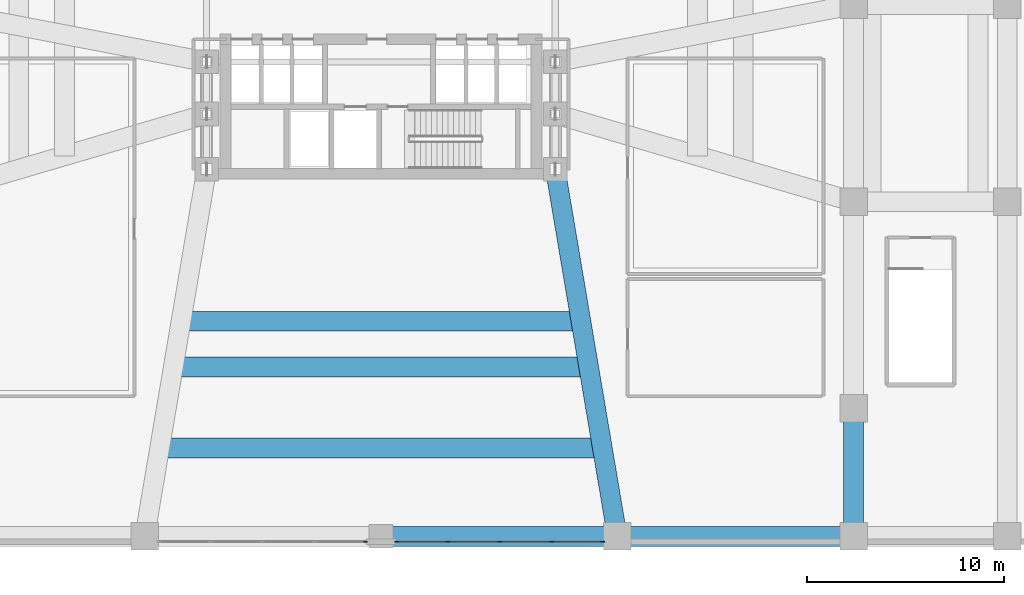
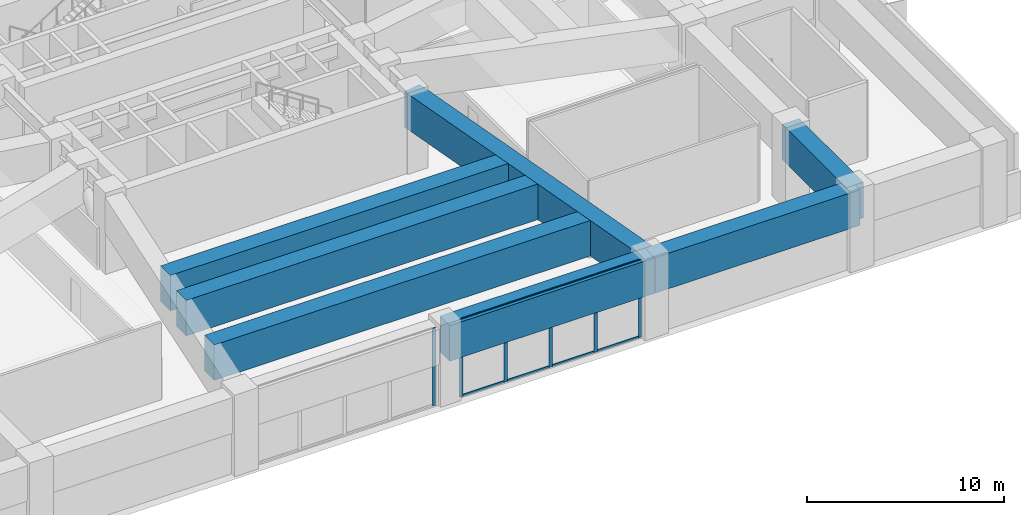
# One storey, part 4 of 14: 14 members, 7 beams, 2 elements without a shape of their own.
"""IFC4 building model written with IfcOpenShell, lengths in metres."""

from ifc_helpers import new_model, si_unit, direction, frame, origin, origin_2d, place, context, subcontext, project, spatial, rectangle, extrude, material, layer, layer_set, material_profile, profile_set, type_object, element, aggregate, save


model = new_model("IFC4")

# Units and contexts
model_context = context("Model", 3, precision=1e-05, world=origin(), true_north=direction((0.0, 1.0)))
body_context = subcontext(model_context, "Body", "Model", "MODEL_VIEW")
ifc_project = project(units=[si_unit("LENGTHUNIT", "METRE"), si_unit("AREAUNIT", "SQUARE_METRE"), si_unit("VOLUMEUNIT", "CUBIC_METRE"), si_unit("PLANEANGLEUNIT", "RADIAN"), si_unit("MASSUNIT", "GRAM", prefix="KILO")], contexts=[model_context])

# Site, building, storey
site_placement = place(None, origin())
site = spatial("IfcSite", under=ifc_project, at=site_placement, CompositionType="ELEMENT")
building_placement = place(site_placement, origin())
building = spatial("IfcBuilding", under=site, at=building_placement, Name="Solmarez Civic Tower", CompositionType="ELEMENT")
storey_placement = place(building_placement, frame((0.0, 0.0, 19.43994140625)))
storey = spatial("IfcBuildingStorey", under=building, at=storey_placement, Name="L04", CompositionType="ELEMENT", Elevation=19.43994140625)

# Beams
ifc_material_1 = material(Name="Concrete C60/75", Category="concrete")
ifc_material_profile_1 = material_profile(ifc_material_1, rectangle(XDim=1.0, YDim=2.199951171875, at=origin_2d()), Name="RC1000X2200")
ifc_profile_set_1 = profile_set([ifc_material_profile_1], Name="Concrete C60/75")
beam_type = type_object("IfcBeamType", Name="BM-TG-RC1000X2200", PredefinedType="USERDEFINED", material=ifc_profile_set_1)
for number, where, z_axis, x_axis, name in (
    (1, (0.0, -27.0, 3.68017578125), (1.0, 0.0, 0.0), (0.0, 1.0, 0.0), "L04 Transfer Girder BM-L04-PC26-PC04"),
    (2, (12.0, -27.0, 3.68017578125), (1.0, 0.0, 0.0), (0.0, 1.0, 0.0), "L04 Transfer Girder BM-L04-PC04-PC05"),
):
    element("IfcBeam", number, at=place(storey_placement, frame(where, z_axis=z_axis, x_axis=x_axis)), inside=storey, type_object=beam_type, Name=name, ObjectType="TRANSFER_GIRDER", PredefinedType="USERDEFINED", context=body_context, shape_type="SweptSolid", body=[
        extrude(rectangle(XDim=1.0, YDim=2.199951171875, at=origin_2d()), origin(), (0.0, 0.0, 1.0), 12.0),
    ])
beam_1_placement = place(storey_placement, frame((24.0, -27.0, 3.68017578125), z_axis=(0.0, 1.0, 0.0), x_axis=(-1.0, 0.0, 0.0)))
element("IfcBeam", 3, at=beam_1_placement, inside=storey, type_object=beam_type, Name="L04 Transfer Girder BM-L04-PC05-PC28", ObjectType="TRANSFER_GIRDER", PredefinedType="USERDEFINED", context=body_context, shape_type="SweptSolid", body=[
    extrude(rectangle(XDim=1.0, YDim=2.199951171875, at=origin_2d()), origin(), (0.0, 0.0, 1.0), 6.5),
])
beam_2_placement = place(storey_placement, frame((12.0, -27.0, 3.68017578125), z_axis=(-0.166537824737, 0.986035066786, 0.0), x_axis=(-0.986035066786, -0.166537824737, 0.0)))
element("IfcBeam", 4, at=beam_2_placement, inside=storey, type_object=beam_type, Name="L04 Transfer Girder BM-L04-PC04-HC10", ObjectType="TRANSFER_GIRDER", PredefinedType="USERDEFINED", context=body_context, shape_type="SweptSolid", body=[
    extrude(rectangle(XDim=1.0, YDim=2.199951171875, at=origin_2d()), origin(), (0.0, 0.0, 1.0), 18.9140625),
])
beam_3_placement = place(storey_placement, frame((-10.455078125, -18.39111328125, 3.68017578125), z_axis=(1.0, 0.0, 0.0), x_axis=(0.0, 1.0, 0.0)))
element("IfcBeam", 5, at=beam_3_placement, inside=storey, type_object=beam_type, Name="L04 Transfer Girder TG-L04-SA11", ObjectType="TRANSFER_GIRDER", PredefinedType="USERDEFINED", context=body_context, shape_type="SweptSolid", body=[
    extrude(rectangle(XDim=1.0, YDim=2.199951171875, at=origin_2d()), origin(), (0.0, 0.0, 1.0), 20.91015625),
])
beam_4_placement = place(storey_placement, frame((-10.0390625, -16.075927734375, 3.68017578125), z_axis=(1.0, 0.0, 0.0), x_axis=(0.0, 1.0, 0.0)))
element("IfcBeam", 6, at=beam_4_placement, inside=storey, type_object=beam_type, Name="L04 Transfer Girder TG-L04-SA12", ObjectType="TRANSFER_GIRDER", PredefinedType="USERDEFINED", context=body_context, shape_type="SweptSolid", body=[
    extrude(rectangle(XDim=1.0, YDim=2.199951171875, at=origin_2d()), origin(), (0.0, 0.0, 1.0), 20.078125),
])
beam_5_placement = place(storey_placement, frame((-11.194091796875, -22.507080078125, 3.68017578125), z_axis=(1.0, 0.0, 0.0), x_axis=(0.0, 1.0, 0.0)))
element("IfcBeam", 7, at=beam_5_placement, inside=storey, type_object=beam_type, Name="L04 Transfer Girder TG-L04-SA22", ObjectType="TRANSFER_GIRDER", PredefinedType="USERDEFINED", context=body_context, shape_type="SweptSolid", body=[
    extrude(rectangle(XDim=1.0, YDim=2.199951171875, at=origin_2d()), origin(), (0.0, 0.0, 1.0), 22.38818359375),
])

# Curtain wall, members
ifc_material_2 = material(Name="Bronze Anodised Aluminium EN AW-6063 T6", Category="aluminium")
ifc_layer = layer(ifc_material_2, 0.199951171875)
ifc_layer_set = layer_set([ifc_layer], Name="Bronze Anodised Aluminium EN AW-6063 T6")
curtain_wall_type = type_object("IfcCurtainWallType", Name="CW-SYS-1", PredefinedType="NOTDEFINED", material=ifc_layer_set)
curtain_wall_1_placement = place(storey_placement, origin())
curtain_wall_1 = element("IfcCurtainWall", 8, at=curtain_wall_1_placement, inside=storey, type_object=curtain_wall_type, Name="L04 Podium Monumental Curtain Wall SE", PredefinedType="NOTDEFINED")
ifc_material_profile_2 = material_profile(ifc_material_2, rectangle(XDim=0.074951171875, YDim=0.199951171875, at=origin_2d()), Name="CWM-75X200")
ifc_profile_set_2 = profile_set([ifc_material_profile_2], Name="Bronze Anodised Aluminium EN AW-6063 T6")
member_type_1 = type_object("IfcMemberType", Name="CWM-TYPE-1", PredefinedType="MULLION", material=ifc_profile_set_2)
member_1_placement = place(storey_placement, frame((11.262451171875, -27.27001953125, 0.0), z_axis=(0.0, 0.0, 1.0), x_axis=(0.0, -1.0, 0.0)))
member_1 = element("IfcMember", 9, at=member_1_placement, type_object=member_type_1, Name="CWS1 mullion 1", PredefinedType="MULLION", context=body_context, shape_type="SweptSolid", body=[
    extrude(rectangle(XDim=0.074951171875, YDim=0.199951171875, at=origin_2d()), origin(), (0.0, 0.0, 1.0), 4.780029296875),
])
member_2_placement = place(storey_placement, frame((8.66259765625, -27.27001953125, 0.0), z_axis=(0.0, 0.0, 1.0), x_axis=(0.0, -1.0, 0.0)))
member_2 = element("IfcMember", 10, at=member_2_placement, type_object=member_type_1, Name="CWS1 mullion 2", PredefinedType="MULLION", context=body_context, shape_type="SweptSolid", body=[
    extrude(rectangle(XDim=0.074951171875, YDim=0.199951171875, at=origin_2d()), origin(), (0.0, 0.0, 1.0), 4.780029296875),
])
member_3_placement = place(storey_placement, frame((6.02490234375, -27.27001953125, 0.0), z_axis=(0.0, 0.0, 1.0), x_axis=(0.0, -1.0, 0.0)))
member_3 = element("IfcMember", 11, at=member_3_placement, type_object=member_type_1, Name="CWS1 mullion 3", PredefinedType="MULLION", context=body_context, shape_type="SweptSolid", body=[
    extrude(rectangle(XDim=0.074951171875, YDim=0.199951171875, at=origin_2d()), origin(), (0.0, 0.0, 1.0), 4.780029296875),
])
member_4_placement = place(storey_placement, frame((3.387451171875, -27.27001953125, 0.0), z_axis=(0.0, 0.0, 1.0), x_axis=(0.0, -1.0, 0.0)))
member_4 = element("IfcMember", 12, at=member_4_placement, type_object=member_type_1, Name="CWS1 mullion 4", PredefinedType="MULLION", context=body_context, shape_type="SweptSolid", body=[
    extrude(rectangle(XDim=0.074951171875, YDim=0.199951171875, at=origin_2d()), origin(), (0.0, 0.0, 1.0), 4.780029296875),
])
member_5_placement = place(storey_placement, frame((0.78759765625, -27.27001953125, 0.0), z_axis=(0.0, 0.0, 1.0), x_axis=(0.0, -1.0, 0.0)))
member_5 = element("IfcMember", 13, at=member_5_placement, type_object=member_type_1, Name="CWS1 mullion 5", PredefinedType="MULLION", context=body_context, shape_type="SweptSolid", body=[
    extrude(rectangle(XDim=0.074951171875, YDim=0.199951171875, at=origin_2d()), origin(), (0.0, 0.0, 1.0), 4.780029296875),
])

# Curtain wall, member
curtain_wall_2_placement = place(storey_placement, origin())
curtain_wall_2 = element("IfcCurtainWall", 14, at=curtain_wall_2_placement, inside=storey, type_object=curtain_wall_type, Name="L04 Podium Monumental Curtain Wall SW", PredefinedType="NOTDEFINED")
member_6_placement = place(storey_placement, frame((-0.78759765625, -27.27001953125, 0.0), z_axis=(0.0, 0.0, 1.0), x_axis=(0.0, -1.0, 0.0)))
member_6 = element("IfcMember", 15, at=member_6_placement, type_object=member_type_1, Name="CWS1 mullion 1", PredefinedType="MULLION", context=body_context, shape_type="SweptSolid", body=[
    extrude(rectangle(XDim=0.074951171875, YDim=0.199951171875, at=origin_2d()), origin(), (0.0, 0.0, 1.0), 4.780029296875),
])
aggregate(curtain_wall_2, [member_6])

# Member
ifc_material_profile_3 = material_profile(ifc_material_2, rectangle(XDim=0.070068359375, YDim=0.139892578125, at=origin_2d()), Name="CWT-70X140")
ifc_profile_set_3 = profile_set([ifc_material_profile_3], Name="Bronze Anodised Aluminium EN AW-6063 T6")
member_type_2 = type_object("IfcMemberType", Name="CWT-TYPE-1", PredefinedType="USERDEFINED", material=ifc_profile_set_3)
member_7_placement = place(storey_placement, frame((11.22509765625, -27.27001953125, 0.03515625), z_axis=(-1.0, 0.0, 0.0), x_axis=(0.0, -1.0, 0.0)))
member_7 = element("IfcMember", 16, at=member_7_placement, type_object=member_type_2, Name="CWS1 transom 1.1", ObjectType="TRANSOM", PredefinedType="USERDEFINED", context=body_context, shape_type="SweptSolid", body=[
    extrude(rectangle(XDim=0.070068359375, YDim=0.139892578125, at=origin_2d()), origin(), (0.0, 0.0, 1.0), 2.525146484375),
])

member_8_placement = place(storey_placement, frame((11.22509765625, -27.27001953125, 4.7451171875), z_axis=(-1.0, 0.0, 0.0), x_axis=(0.0, -1.0, 0.0)))
member_8 = element("IfcMember", 17, at=member_8_placement, type_object=member_type_2, Name="CWS1 transom 1.2", ObjectType="TRANSOM", PredefinedType="USERDEFINED", context=body_context, shape_type="SweptSolid", body=[
    extrude(rectangle(XDim=0.070068359375, YDim=0.139892578125, at=origin_2d()), origin(), (0.0, 0.0, 1.0), 2.525146484375),
])

member_9_placement = place(storey_placement, frame((8.625, -27.27001953125, 0.03515625), z_axis=(-1.0, 0.0, 0.0), x_axis=(0.0, -1.0, 0.0)))
member_9 = element("IfcMember", 18, at=member_9_placement, type_object=member_type_2, Name="CWS1 transom 2.1", ObjectType="TRANSOM", PredefinedType="USERDEFINED", context=body_context, shape_type="SweptSolid", body=[
    extrude(rectangle(XDim=0.070068359375, YDim=0.139892578125, at=origin_2d()), origin(), (0.0, 0.0, 1.0), 2.5625),
])

member_10_placement = place(storey_placement, frame((8.625, -27.27001953125, 4.7451171875), z_axis=(-1.0, 0.0, 0.0), x_axis=(0.0, -1.0, 0.0)))
member_10 = element("IfcMember", 19, at=member_10_placement, type_object=member_type_2, Name="CWS1 transom 2.2", ObjectType="TRANSOM", PredefinedType="USERDEFINED", context=body_context, shape_type="SweptSolid", body=[
    extrude(rectangle(XDim=0.070068359375, YDim=0.139892578125, at=origin_2d()), origin(), (0.0, 0.0, 1.0), 2.5625),
])

member_11_placement = place(storey_placement, frame((5.987548828125, -27.27001953125, 0.03515625), z_axis=(-1.0, 0.0, 0.0), x_axis=(0.0, -1.0, 0.0)))
member_11 = element("IfcMember", 20, at=member_11_placement, type_object=member_type_2, Name="CWS1 transom 3.1", ObjectType="TRANSOM", PredefinedType="USERDEFINED", context=body_context, shape_type="SweptSolid", body=[
    extrude(rectangle(XDim=0.070068359375, YDim=0.139892578125, at=origin_2d()), origin(), (0.0, 0.0, 1.0), 2.5625),
])

member_12_placement = place(storey_placement, frame((5.987548828125, -27.27001953125, 4.7451171875), z_axis=(-1.0, 0.0, 0.0), x_axis=(0.0, -1.0, 0.0)))
member_12 = element("IfcMember", 21, at=member_12_placement, type_object=member_type_2, Name="CWS1 transom 3.2", ObjectType="TRANSOM", PredefinedType="USERDEFINED", context=body_context, shape_type="SweptSolid", body=[
    extrude(rectangle(XDim=0.070068359375, YDim=0.139892578125, at=origin_2d()), origin(), (0.0, 0.0, 1.0), 2.5625),
])

member_13_placement = place(storey_placement, frame((3.35009765625, -27.27001953125, 0.03515625), z_axis=(-1.0, 0.0, 0.0), x_axis=(0.0, -1.0, 0.0)))
member_13 = element("IfcMember", 22, at=member_13_placement, type_object=member_type_2, Name="CWS1 transom 4.1", ObjectType="TRANSOM", PredefinedType="USERDEFINED", context=body_context, shape_type="SweptSolid", body=[
    extrude(rectangle(XDim=0.070068359375, YDim=0.139892578125, at=origin_2d()), origin(), (0.0, 0.0, 1.0), 2.525146484375),
])

member_14_placement = place(storey_placement, frame((3.35009765625, -27.27001953125, 4.7451171875), z_axis=(-1.0, 0.0, 0.0), x_axis=(0.0, -1.0, 0.0)))
member_14 = element("IfcMember", 23, at=member_14_placement, type_object=member_type_2, Name="CWS1 transom 4.2", ObjectType="TRANSOM", PredefinedType="USERDEFINED", context=body_context, shape_type="SweptSolid", body=[
    extrude(rectangle(XDim=0.070068359375, YDim=0.139892578125, at=origin_2d()), origin(), (0.0, 0.0, 1.0), 2.525146484375),
])

aggregate(curtain_wall_1, [member_1, member_2, member_3, member_4, member_5, member_7, member_8, member_9, member_10, member_11, member_12, member_13, member_14])

save(model, "model.ifc")
